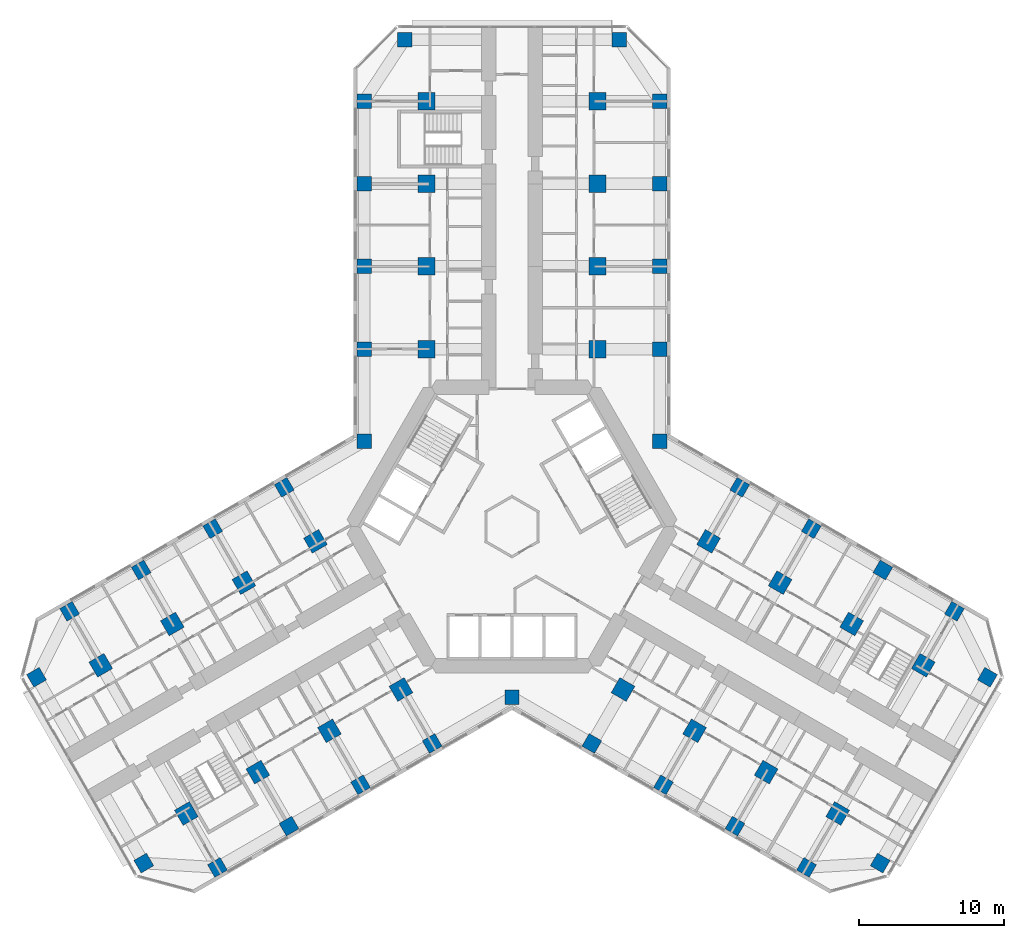
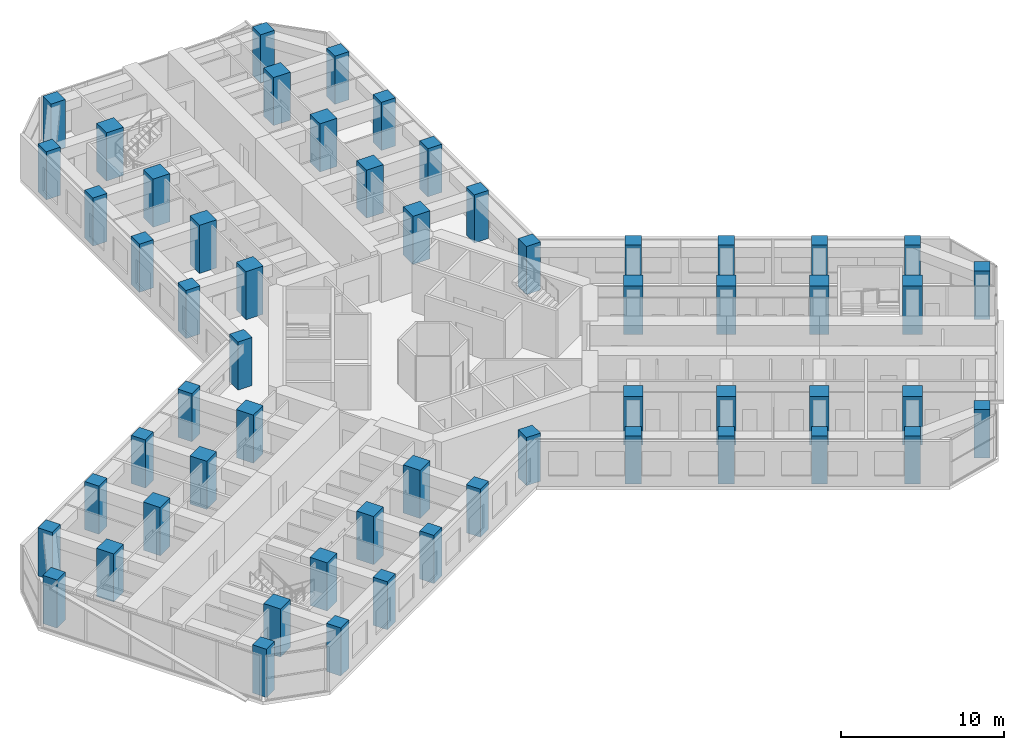
# One storey, part 1 of 21: 57 columns.
"""IFC4 building model written with IfcOpenShell, lengths in metres."""

from ifc_helpers import new_model, si_unit, direction, frame, origin, origin_2d, place, context, subcontext, project, spatial, rectangle, extrude, material, material_profile, profile_set, type_object, element, save


model = new_model("IFC4")

# Units and contexts
model_context = context("Model", 3, precision=1e-05, world=origin(), true_north=direction((0.0, 1.0)))
body_context = subcontext(model_context, "Body", "Model", "MODEL_VIEW")
ifc_project = project(units=[si_unit("LENGTHUNIT", "METRE"), si_unit("AREAUNIT", "SQUARE_METRE"), si_unit("VOLUMEUNIT", "CUBIC_METRE"), si_unit("PLANEANGLEUNIT", "RADIAN"), si_unit("MASSUNIT", "GRAM", prefix="KILO")], contexts=[model_context])

# Site, building, storey
site_placement = place(None, origin())
site = spatial("IfcSite", under=ifc_project, at=site_placement, CompositionType="ELEMENT")
building_placement = place(site_placement, origin())
building = spatial("IfcBuilding", under=site, at=building_placement, Name="Kosmar Iwan School Tower", CompositionType="ELEMENT")
storey_placement = place(building_placement, frame((0.0, 0.0, 64.60009765625)))
storey = spatial("IfcBuildingStorey", under=building, at=storey_placement, Name="L15", CompositionType="ELEMENT", Elevation=64.60009765625)

# Columns
ifc_material_1 = material(Name="Concrete C50/60", Category="concrete")
ifc_material_profile_1 = material_profile(ifc_material_1, rectangle(XDim=1.0, YDim=1.0, at=origin_2d()), Name="RC 1000x1000 + HD 400x677")
ifc_profile_set_1 = profile_set([ifc_material_profile_1], Name="Concrete C50/60")
column_type_1 = type_object("IfcColumnType", Name="Composite column 1000x1000 HD 400x677", PredefinedType="COLUMN", material=ifc_profile_set_1)
for number, where, z_axis, x_axis, name in (
    (1, (-10.199951171875, 12.25, 0.0), (0.0, 0.0, 1.0), (0.0, 1.0, 0.0), "Column AL1 L15"),
    (2, (-10.199951171875, 17.949951171875, 0.0), (0.0, 0.0, 1.0), (0.0, 1.0, 0.0), "Column AL2 L15"),
    (3, (-10.199951171875, 23.64990234375, 0.0), (0.0, 0.0, 1.0), (0.0, 1.0, 0.0), "Column AL3 L15"),
    (4, (-10.199951171875, 29.35009765625, 0.0), (0.0, 0.0, 1.0), (0.0, 1.0, 0.0), "Column AL4 L15"),
    (5, (-7.39990234375, 33.60009765625, 0.0), (0.0, 0.0, 1.0), (0.0, 1.0, 0.0), "Column ALTIP L15"),
    (6, (10.199951171875, 12.25, 0.0), (0.0, 0.0, 1.0), (0.0, 1.0, 0.0), "Column AR1 L15"),
    (7, (10.199951171875, 17.949951171875, 0.0), (0.0, 0.0, 1.0), (0.0, 1.0, 0.0), "Column AR2 L15"),
    (8, (10.199951171875, 23.64990234375, 0.0), (0.0, 0.0, 1.0), (0.0, 1.0, 0.0), "Column AR3 L15"),
    (9, (10.199951171875, 29.35009765625, 0.0), (0.0, 0.0, 1.0), (0.0, 1.0, 0.0), "Column AR4 L15"),
    (10, (7.39990234375, 33.60009765625, 0.0), (0.0, 0.0, 1.0), (0.0, 1.0, 0.0), "Column ARTIP L15"),
    (11, (-5.5087890625, -14.95849609375, 0.0), (0.0, 0.0, 1.0), (-0.866025403784, -0.5, 0.0), "Column BL1 L15"),
    (12, (-10.445068359375, -17.808349609375, 0.0), (0.0, 0.0, 1.0), (-0.866025403784, -0.5, 0.0), "Column BL2 L15"),
    (13, (-15.381591796875, -20.658447265625, 0.0), (0.0, 0.0, 1.0), (-0.866025403784, -0.5, 0.0), "Column BL3 L15"),
    (14, (-20.31787109375, -23.508544921875, 0.0), (0.0, 0.0, 1.0), (-0.866025403784, -0.5, 0.0), "Column BL4 L15"),
    (15, (-25.3984375, -23.20849609375, 0.0), (0.0, 0.0, 1.0), (-0.866025403784, -0.5, 0.0), "Column BLTIP L15"),
    (16, (-15.708740234375, 2.70849609375, 0.0), (0.0, 0.0, 1.0), (-0.866025403784, -0.5, 0.0), "Column BR1 L15"),
    (17, (-20.645263671875, -0.1416015625, 0.0), (0.0, 0.0, 1.0), (-0.866025403784, -0.5, 0.0), "Column BR2 L15"),
    (18, (-25.58154296875, -2.991455078125, 0.0), (0.0, 0.0, 1.0), (-0.866025403784, -0.5, 0.0), "Column BR3 L15"),
    (19, (-30.517822265625, -5.841552734375, 0.0), (0.0, 0.0, 1.0), (-0.866025403784, -0.5, 0.0), "Column BR4 L15"),
    (20, (-32.79833984375, -10.391357421875, 0.0), (0.0, 0.0, 1.0), (-0.866025403784, -0.5, 0.0), "Column BRTIP L15"),
    (21, (15.708740234375, 2.70849609375, 0.0), (0.0, 0.0, 1.0), (0.866025403784, -0.5, 0.0), "Column CL1 L15"),
    (22, (20.645263671875, -0.1416015625, 0.0), (0.0, 0.0, 1.0), (0.866025403784, -0.5, 0.0), "Column CL2 L15"),
    (23, (25.58154296875, -2.991455078125, 0.0), (0.0, 0.0, 1.0), (0.866025403784, -0.5, 0.0), "Column CL3 L15"),
    (24, (30.517822265625, -5.841552734375, 0.0), (0.0, 0.0, 1.0), (0.866025403784, -0.5, 0.0), "Column CL4 L15"),
    (25, (32.79833984375, -10.391357421875, 0.0), (0.0, 0.0, 1.0), (0.866025403784, -0.5, 0.0), "Column CLTIP L15"),
    (26, (5.5087890625, -14.95849609375, 0.0), (0.0, 0.0, 1.0), (0.866025403784, -0.5, 0.0), "Column CR1 L15"),
    (27, (10.445068359375, -17.808349609375, 0.0), (0.0, 0.0, 1.0), (0.866025403784, -0.5, 0.0), "Column CR2 L15"),
    (28, (15.381591796875, -20.658447265625, 0.0), (0.0, 0.0, 1.0), (0.866025403784, -0.5, 0.0), "Column CR3 L15"),
    (29, (20.31787109375, -23.508544921875, 0.0), (0.0, 0.0, 1.0), (0.866025403784, -0.5, 0.0), "Column CR4 L15"),
    (30, (25.3984375, -23.20849609375, 0.0), (0.0, 0.0, 1.0), (0.866025403784, -0.5, 0.0), "Column CRTIP L15"),
    (31, (-10.199951171875, 5.888916015625, 0.0), (0.0, 0.0, 1.0), (1.0, 0.0, 0.0), "Column RAB L15"),
    (32, (10.199951171875, 5.888916015625, 0.0), (0.0, 0.0, 1.0), (1.0, 0.0, 0.0), "Column RAC L15"),
    (33, (0.0, -11.77783203125, 0.0), (0.0, 0.0, 1.0), (1.0, 0.0, 0.0), "Column RBC L15"),
):
    element("IfcColumn", number, at=place(storey_placement, frame(where, z_axis=z_axis, x_axis=x_axis)), inside=storey, type_object=column_type_1, Name=name, PredefinedType="COLUMN", context=body_context, shape_type="SweptSolid", body=[
        extrude(rectangle(XDim=1.0, YDim=1.0, at=origin_2d()), origin(), (0.0, 0.0, 1.0), 3.599853515625),
    ])
ifc_material_2 = material(Name="Concrete C50/60", Category="concrete")
ifc_material_profile_2 = material_profile(ifc_material_2, rectangle(XDim=1.199951171875, YDim=1.199951171875, at=origin_2d()), Name="RC 1200x1200")
ifc_profile_set_2 = profile_set([ifc_material_profile_2], Name="Concrete C50/60")
column_type_2 = type_object("IfcColumnType", Name="RC interior column 1200x1200", PredefinedType="COLUMN", material=ifc_profile_set_2)
for number, where, z_axis, x_axis, name in (
    (34, (-5.89990234375, 12.25, 0.0), (0.0, 0.0, 1.0), (0.0, 1.0, 0.0), "Interior column ALI1 L15"),
    (35, (-5.89990234375, 17.949951171875, 0.0), (0.0, 0.0, 1.0), (0.0, 1.0, 0.0), "Interior column ALI2 L15"),
    (36, (-5.89990234375, 23.64990234375, 0.0), (0.0, 0.0, 1.0), (0.0, 1.0, 0.0), "Interior column ALI3 L15"),
    (37, (-5.89990234375, 29.35009765625, 0.0), (0.0, 0.0, 1.0), (0.0, 1.0, 0.0), "Interior column ALI4 L15"),
    (38, (5.89990234375, 12.25, 0.0), (0.0, 0.0, 1.0), (0.0, 1.0, 0.0), "Interior column ARI1 L15"),
    (39, (5.89990234375, 17.949951171875, 0.0), (0.0, 0.0, 1.0), (0.0, 1.0, 0.0), "Interior column ARI2 L15"),
    (40, (5.89990234375, 23.64990234375, 0.0), (0.0, 0.0, 1.0), (0.0, 1.0, 0.0), "Interior column ARI3 L15"),
    (41, (5.89990234375, 29.35009765625, 0.0), (0.0, 0.0, 1.0), (0.0, 1.0, 0.0), "Interior column ARI4 L15"),
    (42, (-7.65869140625, -11.234619140625, 0.0), (0.0, 0.0, 1.0), (-0.866025403784, -0.5, 0.0), "Interior column BLI1 L15"),
    (43, (-12.59521484375, -14.08447265625, 0.0), (0.0, 0.0, 1.0), (-0.866025403784, -0.5, 0.0), "Interior column BLI2 L15"),
    (44, (-17.531494140625, -16.9345703125, 0.0), (0.0, 0.0, 1.0), (-0.866025403784, -0.5, 0.0), "Interior column BLI3 L15"),
    (45, (-22.4677734375, -19.78466796875, 0.0), (0.0, 0.0, 1.0), (-0.866025403784, -0.5, 0.0), "Interior column BLI4 L15"),
    (46, (-13.558837890625, -1.015380859375, 0.0), (0.0, 0.0, 1.0), (-0.866025403784, -0.5, 0.0), "Interior column BRI1 L15"),
    (47, (-18.4951171875, -3.865478515625, 0.0), (0.0, 0.0, 1.0), (-0.866025403784, -0.5, 0.0), "Interior column BRI2 L15"),
    (48, (-23.431396484375, -6.71533203125, 0.0), (0.0, 0.0, 1.0), (-0.866025403784, -0.5, 0.0), "Interior column BRI3 L15"),
    (49, (-28.367919921875, -9.5654296875, 0.0), (0.0, 0.0, 1.0), (-0.866025403784, -0.5, 0.0), "Interior column BRI4 L15"),
    (50, (13.558837890625, -1.015380859375, 0.0), (0.0, 0.0, 1.0), (0.866025403784, -0.5, 0.0), "Interior column CLI1 L15"),
    (51, (18.4951171875, -3.865478515625, 0.0), (0.0, 0.0, 1.0), (0.866025403784, -0.5, 0.0), "Interior column CLI2 L15"),
    (52, (23.431396484375, -6.71533203125, 0.0), (0.0, 0.0, 1.0), (0.866025403784, -0.5, 0.0), "Interior column CLI3 L15"),
    (53, (28.367919921875, -9.5654296875, 0.0), (0.0, 0.0, 1.0), (0.866025403784, -0.5, 0.0), "Interior column CLI4 L15"),
    (54, (7.65869140625, -11.234619140625, 0.0), (0.0, 0.0, 1.0), (0.866025403784, -0.5, 0.0), "Interior column CRI1 L15"),
    (55, (12.59521484375, -14.08447265625, 0.0), (0.0, 0.0, 1.0), (0.866025403784, -0.5, 0.0), "Interior column CRI2 L15"),
    (56, (17.531494140625, -16.9345703125, 0.0), (0.0, 0.0, 1.0), (0.866025403784, -0.5, 0.0), "Interior column CRI3 L15"),
    (57, (22.4677734375, -19.78466796875, 0.0), (0.0, 0.0, 1.0), (0.866025403784, -0.5, 0.0), "Interior column CRI4 L15"),
):
    element("IfcColumn", number, at=place(storey_placement, frame(where, z_axis=z_axis, x_axis=x_axis)), inside=storey, type_object=column_type_2, Name=name, PredefinedType="COLUMN", context=body_context, shape_type="SweptSolid", body=[
        extrude(rectangle(XDim=1.199951171875, YDim=1.199951171875, at=origin_2d()), origin(), (0.0, 0.0, 1.0), 3.599853515625),
    ])

save(model, "model.ifc")
